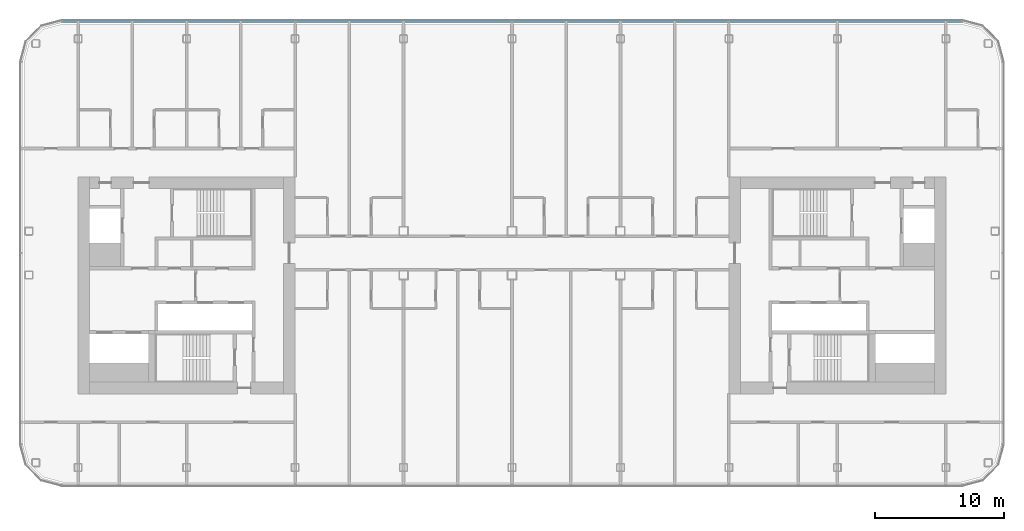
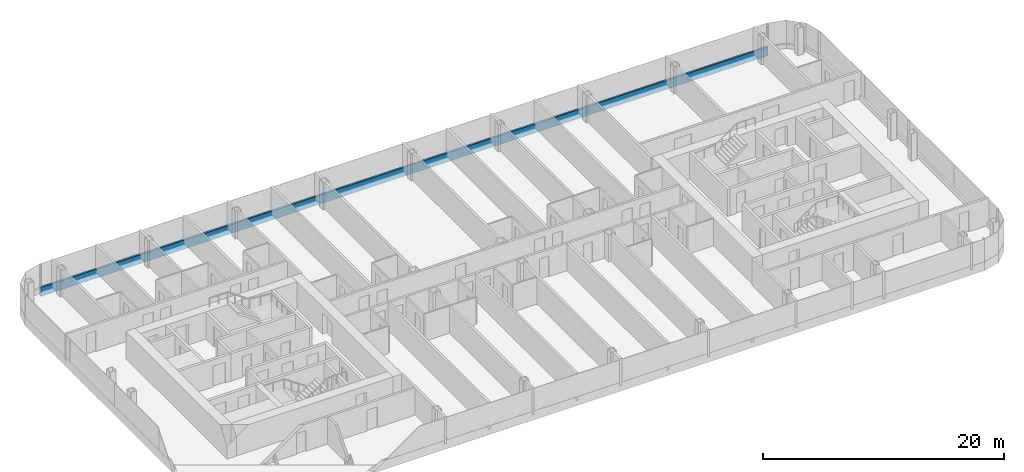
# One storey, part 8 of 26: 1 member, 1 element without a shape of its own.
"""IFC4 building model written with IfcOpenShell, lengths in metres."""

from ifc_helpers import new_model, si_unit, direction, frame, origin, origin_2d, place, context, subcontext, project, spatial, rectangle, extrude, material, layer, layer_set, material_profile, profile_set, type_object, element, aggregate, save


model = new_model("IFC4")

# Units and contexts
model_context = context("Model", 3, precision=1e-05, world=origin(), true_north=direction((0.0, 1.0)))
body_context = subcontext(model_context, "Body", "Model", "MODEL_VIEW")
ifc_project = project(units=[si_unit("LENGTHUNIT", "METRE"), si_unit("AREAUNIT", "SQUARE_METRE"), si_unit("VOLUMEUNIT", "CUBIC_METRE"), si_unit("PLANEANGLEUNIT", "RADIAN"), si_unit("MASSUNIT", "GRAM", prefix="KILO")], contexts=[model_context])

# Site, building, storey
site_placement = place(None, origin())
site = spatial("IfcSite", under=ifc_project, at=site_placement, CompositionType="ELEMENT")
building_placement = place(site_placement, origin())
building = spatial("IfcBuilding", under=site, at=building_placement, Name="Hakoniwa Tower and Hamabe Station Hall", CompositionType="ELEMENT")
storey_placement = place(building_placement, frame((0.0, 0.0, 189.800048828125)))
storey = spatial("IfcBuildingStorey", under=building, at=storey_placement, Name="L53", CompositionType="ELEMENT", Elevation=189.800048828125)

# Curtain wall, member
ifc_material_1 = material(Name="Dark low-e laminated glass", Category="glass")
ifc_layer = layer(ifc_material_1, 0.199951171875)
ifc_layer_set = layer_set([ifc_layer], Name="CW-1 UNITISED GUEST")
curtain_wall_type = type_object("IfcCurtainWallType", Name="CW-1 UNITISED GUEST", PredefinedType="NOTDEFINED", material=ifc_layer_set)
curtain_wall_placement = place(storey_placement, origin())
curtain_wall = element("IfcCurtainWall", 1, at=curtain_wall_placement, inside=storey, type_object=curtain_wall_type, Name="CW-1 curtain wall", PredefinedType="NOTDEFINED")
ifc_material_2 = material(Name="Aluminium 6063-T5 black anodised", Category="aluminium")
ifc_material_profile = material_profile(ifc_material_2, rectangle(XDim=0.199951171875, YDim=0.89990234375, at=origin_2d()), Name="CW SLAB-EDGE BAND 900X200")
ifc_profile_set = profile_set([ifc_material_profile], Name="Aluminium 6063-T5 black anodised")
member_type = type_object("IfcMemberType", Name="CW SLAB-EDGE BAND 900X200", PredefinedType="USERDEFINED", material=ifc_profile_set)
member_placement = place(storey_placement, frame((34.839599609375, 20.449951171875, -0.10009765625), z_axis=(-1.0, 0.0, 0.0), x_axis=(0.0, -1.0, 0.0)))
member = element("IfcMember", 2, at=member_placement, type_object=member_type, Name="CW-1 transom", ObjectType="TRANSOM", PredefinedType="USERDEFINED", context=body_context, shape_type="SweptSolid", body=[
    extrude(rectangle(XDim=0.199951171875, YDim=0.89990234375, at=origin_2d()), origin(), (0.0, 0.0, 1.0), 69.67919921875),
])
aggregate(curtain_wall, [member])

save(model, "model.ifc")
